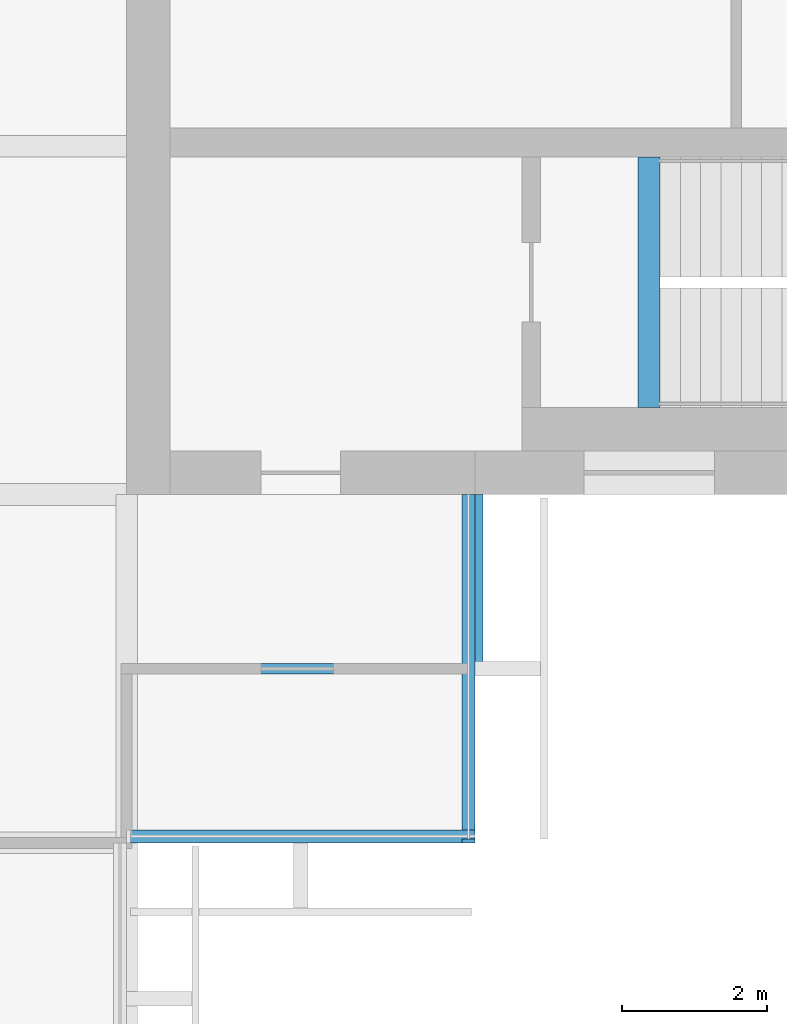
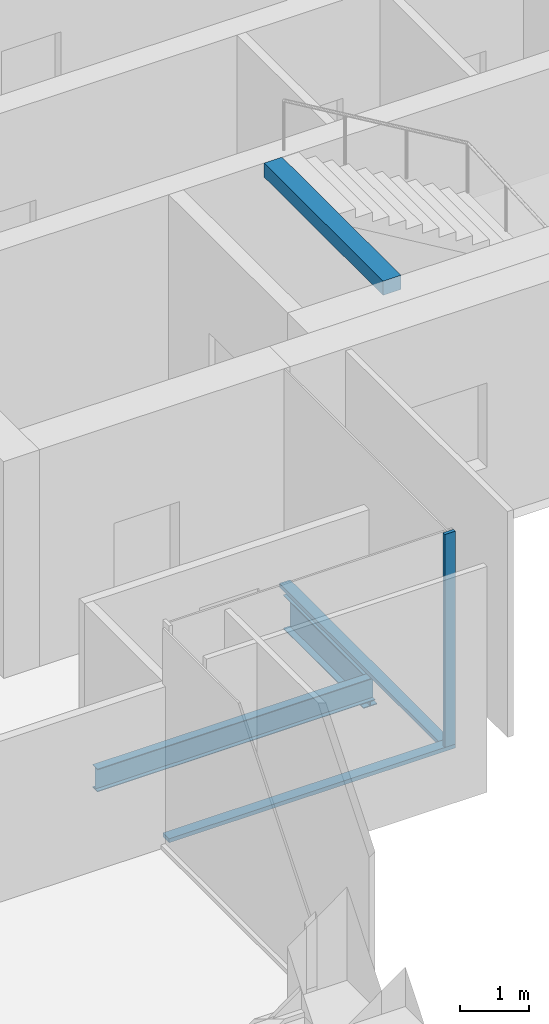
# One storey, part 4 of 12: 3 beams, 3 members, 2 elements without a shape of their own.
"""IFC4 building model written with IfcOpenShell, lengths in metres."""

from ifc_helpers import new_model, si_unit, direction, frame, origin, origin_2d, place, context, subcontext, project, spatial, rectangle, i_section, extrude, material, material_profile, profile_set, type_object, element, aggregate, save


model = new_model("IFC4")

# Units and contexts
model_context = context("Model", 3, precision=1e-05, world=origin(), true_north=direction((0.0, 1.0)))
body_context = subcontext(model_context, "Body", "Model", "MODEL_VIEW")
ifc_project = project(units=[si_unit("LENGTHUNIT", "METRE"), si_unit("AREAUNIT", "SQUARE_METRE"), si_unit("VOLUMEUNIT", "CUBIC_METRE"), si_unit("PLANEANGLEUNIT", "RADIAN"), si_unit("MASSUNIT", "GRAM", prefix="KILO")], contexts=[model_context])

# Site, building, storey
site_placement = place(None, origin())
site = spatial("IfcSite", under=ifc_project, at=site_placement, CompositionType="ELEMENT")
building_placement = place(site_placement, origin())
building = spatial("IfcBuilding", under=site, at=building_placement, Name="Baori Bourse Tower", CompositionType="ELEMENT")
storey_placement = place(building_placement, frame((0.0, 0.0, 322.300048828125)))
storey = spatial("IfcBuildingStorey", under=building, at=storey_placement, Name="L71", CompositionType="ELEMENT", Elevation=322.300048828125)

# Curtain wall, member
ifc_material_1 = material(Name="Pale anodised aluminium", Category="aluminium")
curtain_wall_type = type_object("IfcCurtainWallType", Name="CW2 Curtain wall", PredefinedType="NOTDEFINED", material=ifc_material_1)
curtain_wall_1_placement = place(storey_placement, origin())
curtain_wall_1 = element("IfcCurtainWall", 1, at=curtain_wall_1_placement, inside=storey, type_object=curtain_wall_type, Name="Curtain wall CW2 L71 14", PredefinedType="NOTDEFINED")
ifc_material_2 = material(Name="Pale anodised aluminium", Category="aluminium")
ifc_material_profile_1 = material_profile(ifc_material_2, rectangle(XDim=0.179931640625, YDim=0.054931640625, at=origin_2d()), Name="Mullion 55x180")
ifc_profile_set_1 = profile_set([ifc_material_profile_1], Name="Pale anodised aluminium")
member_type_1 = type_object("IfcMemberType", Name="CW2 Curtain wall mullion", PredefinedType="MULLION", material=ifc_profile_set_1)
member_1_placement = place(storey_placement, frame((43.110107421875, 4.827392578125, 0.070068359375), z_axis=(0.0, 0.0, 1.0), x_axis=(-1.0, 0.0, 0.0)))
member_1 = element("IfcMember", 2, at=member_1_placement, type_object=member_type_1, Name="Curtain wall CW2 mullion", PredefinedType="MULLION", context=body_context, shape_type="SweptSolid", body=[
    extrude(rectangle(XDim=0.179931640625, YDim=0.054931640625, at=origin_2d()), origin(), (0.0, 0.0, 1.0), 3.769775390625),
])

curtain_wall_2_placement = place(storey_placement, origin())
curtain_wall_2 = element("IfcCurtainWall", 3, at=curtain_wall_2_placement, inside=storey, type_object=curtain_wall_type, Name="Curtain wall CW2 L71 13", PredefinedType="NOTDEFINED")
ifc_material_3 = material(Name="Pale anodised aluminium", Category="aluminium")
ifc_material_profile_2 = material_profile(ifc_material_3, rectangle(XDim=0.179931640625, YDim=0.070068359375, at=origin_2d()), Name="Transom 70x180")
ifc_profile_set_2 = profile_set([ifc_material_profile_2], Name="Pale anodised aluminium")
member_type_2 = type_object("IfcMemberType", Name="CW2 Curtain wall transom", PredefinedType="USERDEFINED", material=ifc_profile_set_2)
member_2_placement = place(storey_placement, frame((38.39990234375, 4.889892578125, 0.034912109375), z_axis=(1.0, 0.0, 0.0), x_axis=(0.0, 1.0, 0.0)))
member_2 = element("IfcMember", 4, at=member_2_placement, type_object=member_type_2, Name="Curtain wall CW2 sill rail", ObjectType="TRANSOM", PredefinedType="USERDEFINED", context=body_context, shape_type="SweptSolid", body=[
    extrude(rectangle(XDim=0.179931640625, YDim=0.070068359375, at=origin_2d()), origin(), (0.0, 0.0, 1.0), 4.800048828125),
])
aggregate(curtain_wall_2, [member_2])

# Member
member_3_placement = place(storey_placement, frame((43.110107421875, 4.800048828125, 0.034912109375), z_axis=(0.0, 1.0, 0.0), x_axis=(-1.0, 0.0, 0.0)))
member_3 = element("IfcMember", 5, at=member_3_placement, type_object=member_type_2, Name="Curtain wall CW2 sill rail", ObjectType="TRANSOM", PredefinedType="USERDEFINED", context=body_context, shape_type="SweptSolid", body=[
    extrude(rectangle(XDim=0.179931640625, YDim=0.070068359375, at=origin_2d()), origin(), (0.0, 0.0, 1.0), 4.800048828125),
])

aggregate(curtain_wall_1, [member_3, member_1])

# Beams
ifc_material_4 = material(Name="Steel A992 Gr 50", Category="steel")
ifc_material_profile_3 = material_profile(ifc_material_4, i_section(OverallWidth=0.227783203125, OverallDepth=0.60205078125, WebThickness=0.010498046875, FlangeThickness=0.014892578125, at=origin_2d()), Name="W24x68")
ifc_profile_set_3 = profile_set([ifc_material_profile_3], Name="Steel A992 Gr 50")
beam_type_1 = type_object("IfcBeamType", Name="Core bracket W24x68", PredefinedType="BEAM", material=ifc_profile_set_3)
beam_1_placement = place(storey_placement, frame((43.199951171875, 7.270263671875, -0.4609375), z_axis=(0.0, 1.0, 0.0), x_axis=(-1.0, 0.0, 0.0)))
element("IfcBeam", 6, at=beam_1_placement, inside=storey, type_object=beam_type_1, Name="Core bracket L71", PredefinedType="BEAM", context=body_context, shape_type="SweptSolid", body=[
    extrude(i_section(OverallWidth=0.227783203125, OverallDepth=0.60205078125, WebThickness=0.010498046875, FlangeThickness=0.014892578125, at=origin_2d()), origin(), (0.0, 0.0, 1.0), 2.329833984375),
])
ifc_material_5 = material(Name="Concrete f'c 50 MPa", Category="concrete")
ifc_material_profile_4 = material_profile(ifc_material_5, rectangle(XDim=0.300048828125, YDim=0.25, at=origin_2d()), Name="RC 300x250")
ifc_profile_set_4 = profile_set([ifc_material_profile_4], Name="Concrete f'c 50 MPa")
beam_type_2 = type_object("IfcBeamType", Name="Stair nib beam RC 300x250", PredefinedType="BEAM", material=ifc_profile_set_4)
beam_2_placement = place(storey_placement, frame((45.60009765625, 10.800048828125, 3.71484375), z_axis=(0.0, 1.0, 0.0), x_axis=(-1.0, 0.0, 0.0)))
element("IfcBeam", 7, at=beam_2_placement, inside=storey, type_object=beam_type_2, Name="Stair EA nib beam L72", PredefinedType="BEAM", context=body_context, shape_type="SweptSolid", body=[
    extrude(rectangle(XDim=0.300048828125, YDim=0.25, at=origin_2d()), origin(), (0.0, 0.0, 1.0), 3.449951171875),
])
ifc_material_6 = material(Name="Steel A992 Gr 50", Category="steel")
ifc_material_profile_5 = material_profile(ifc_material_6, i_section(OverallWidth=0.140380859375, OverallDepth=0.40380859375, WebThickness=0.007080078125, FlangeThickness=0.01123046875, at=origin_2d()), Name="W16x31")
ifc_profile_set_5 = profile_set([ifc_material_profile_5], Name="Steel A992 Gr 50")
beam_type_3 = type_object("IfcBeamType", Name="Trimmer beam W16x31", PredefinedType="BEAM", material=ifc_profile_set_5)
beam_3_placement = place(storey_placement, frame((38.546142578125, 7.199951171875, -0.362060546875), z_axis=(1.0, 0.0, 0.0), x_axis=(0.0, 1.0, 0.0)))
element("IfcBeam", 8, at=beam_3_placement, inside=storey, type_object=beam_type_3, Name="Trimmer beam L71", PredefinedType="BEAM", context=body_context, shape_type="SweptSolid", body=[
    extrude(i_section(OverallWidth=0.140380859375, OverallDepth=0.40380859375, WebThickness=0.007080078125, FlangeThickness=0.01123046875, at=origin_2d()), origin(), (0.0, 0.0, 1.0), 4.65380859375),
])

save(model, "model.ifc")
